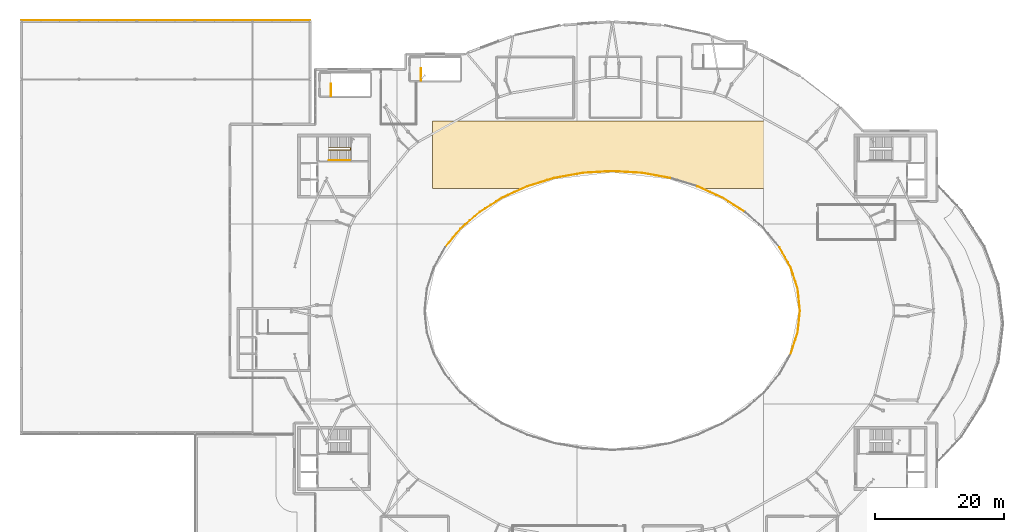
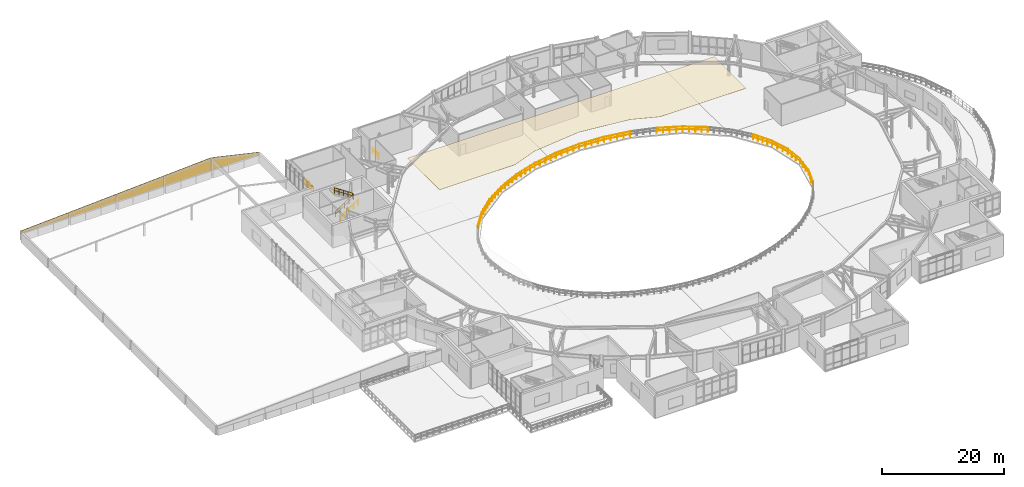
# One storey, part 46 of 48: 20 railings, 6 coverings.
"""IFC4 building model written with IfcOpenShell, lengths in metres."""

import ifcopenshell
import ifcopenshell.guid

model = None  # the IFC model being written
_history = None  # IfcOwnerHistory: only IFC2X3 demands one
_inside = {}  # id of a spatial element -> (the spatial element, [elements in it])
_under = {}  # id of a project, library or spatial element -> (it, [spatial elements below it])
_declared = {}  # id of a project -> (the project, [libraries it declares])
_typed = {}  # id of a type object -> (the type object, [elements of that type])
_made_of = {}  # id of a material, layer set ... -> (it, [elements and type objects made of it])


def new_model(schema):
    """Start an empty IFC model of exactly this schema.

    Asked for "IFC4X3", IfcOpenShell would pick the latest addendum, in which some entities
    have other attributes; the version numbers below select the first issue.
    IFC2X3 requires an IfcOwnerHistory on every rooted entity: one is made here for all.
    """
    global model, _history
    if schema == "IFC4X3":
        model = ifcopenshell.file(schema_version=(4, 3, 0, 0))
    else:
        model = ifcopenshell.file(schema=schema)
    _inside.clear()
    _under.clear()
    _declared.clear()
    _typed.clear()
    _made_of.clear()
    _history = None
    if model.schema == "IFC2X3":
        org = make("IfcOrganization", Name="unknown")
        user = make(
            "IfcPersonAndOrganization",
            ThePerson=make("IfcPerson", FamilyName="unknown"),
            TheOrganization=org,
        )
        app = make(
            "IfcApplication",
            ApplicationDeveloper=org,
            Version="unknown",
            ApplicationFullName="unknown",
            ApplicationIdentifier="unknown",
        )
        _history = make(
            "IfcOwnerHistory",
            OwningUser=user,
            OwningApplication=app,
            ChangeAction="ADDED",
            CreationDate=0,
        )
    return model


def make(cls, **values):
    """One entity of the class cls with the attributes given. An attribute that is None is left unset."""
    return model.create_entity(
        cls, **{name: value for name, value in values.items() if value is not None}
    )


def rooted(cls, **values):
    """An entity with a GlobalId (a new one), such as an element, a storey or a relation."""
    return make(cls, GlobalId=ifcopenshell.guid.new(), OwnerHistory=_history, **values)


def si_unit(unit_type, name, prefix=None):
    """IfcSIUnit, for example si_unit("LENGTHUNIT", "METRE", prefix="MILLI")."""
    return make("IfcSIUnit", UnitType=unit_type, Prefix=prefix, Name=name)


def assignment(units):
    """IfcUnitAssignment: the units of a project."""
    return None if units is None else make("IfcUnitAssignment", Units=units)


def point(xyz):
    """IfcCartesianPoint."""
    return None if xyz is None else make("IfcCartesianPoint", Coordinates=xyz)


def direction(xyz):
    """IfcDirection."""
    return None if xyz is None else make("IfcDirection", DirectionRatios=xyz)


def frame(location, z_axis=None, x_axis=None):
    """IfcAxis2Placement3D, a coordinate frame: its origin and axes. An axis left out is left unset."""
    return make(
        "IfcAxis2Placement3D",
        Location=point(location),
        Axis=direction(z_axis),
        RefDirection=direction(x_axis),
    )


def frame_2d(location, x_axis=None):
    """IfcAxis2Placement2D, a coordinate frame in the plane: its origin and x axis."""
    return make(
        "IfcAxis2Placement2D", Location=point(location), RefDirection=direction(x_axis)
    )


def origin():
    """The frame at (0, 0, 0) with its axes left unset."""
    return frame((0.0, 0.0, 0.0))


def origin_2d():
    """The frame at (0, 0) in the plane with its x axis left unset."""
    return frame_2d((0.0, 0.0))


def place(relative_to, where):
    """IfcLocalPlacement: puts the frame where relative to a parent placement (None: the world)."""
    return make(
        "IfcLocalPlacement", PlacementRelTo=relative_to, RelativePlacement=where
    )


def context(
    kind, dimensions, precision=None, world=None, true_north=None, identifier=None
):
    """IfcGeometricRepresentationContext, for example the 3D "Model" context."""
    return make(
        "IfcGeometricRepresentationContext",
        ContextIdentifier=identifier,
        ContextType=kind,
        CoordinateSpaceDimension=dimensions,
        Precision=precision,
        WorldCoordinateSystem=world,
        TrueNorth=true_north,
    )


def subcontext(parent, identifier, kind, view, scale=None):
    """IfcGeometricRepresentationSubContext, for example "Body" below "Model"."""
    return make(
        "IfcGeometricRepresentationSubContext",
        ContextIdentifier=identifier,
        ContextType=kind,
        ParentContext=parent,
        TargetScale=scale,
        TargetView=view,
    )


def project(units=None, contexts=None):
    """IfcProject with its units and contexts."""
    return rooted(
        "IfcProject",
        Name="project",
        RepresentationContexts=contexts,
        UnitsInContext=assignment(units),
    )


def spatial(cls, under=None, at=None, **own):
    """A site, building, storey or space (cls), placed at a placement, below another one or the project."""
    s = rooted(cls, ObjectPlacement=at, **own)
    if under is not None:
        _under.setdefault(under.id(), (under, []))[1].append(s)
    return s


def polyline(points):
    """IfcPolyline through the points."""
    return make("IfcPolyline", Points=[point(p) for p in points])


def profile(cls, at=None, kind="AREA", **sizes):
    """A parametric profile (cls). Its sizes go by their IFC names, for example OverallWidth=200.0."""
    return make(cls, ProfileType=kind, Position=at, **sizes)


def circle(**sizes):
    """IfcCircleProfileDef."""
    return profile("IfcCircleProfileDef", **sizes)


def outline(outer, holes=None, kind="AREA"):
    """IfcArbitraryClosedProfileDef: a profile drawn as a closed curve; with holes, ...WithVoids."""
    if holes is None:
        return make("IfcArbitraryClosedProfileDef", ProfileType=kind, OuterCurve=outer)
    return make(
        "IfcArbitraryProfileDefWithVoids",
        ProfileType=kind,
        OuterCurve=outer,
        InnerCurves=holes,
    )


def extrude(swept, where, along, depth):
    """IfcExtrudedAreaSolid: the profile swept, set in the frame where, extruded along a direction by depth."""
    return make(
        "IfcExtrudedAreaSolid",
        SweptArea=swept,
        Position=where,
        ExtrudedDirection=direction(along),
        Depth=depth,
    )


def shape(context_of_items, identifier, shape_type, items):
    """IfcShapeRepresentation: the items that make up one representation, for example the "Body"."""
    return make(
        "IfcShapeRepresentation",
        ContextOfItems=context_of_items,
        RepresentationIdentifier=identifier,
        RepresentationType=shape_type,
        Items=items,
    )


def material(Name=None, Category=None):
    """IfcMaterial."""
    return make("IfcMaterial", Name=Name, Category=Category)


def layer(
    of_material, thickness, ventilated=None, Name=None, Category=None, Priority=None
):
    """IfcMaterialLayer: one layer of a wall or slab, of a material (None: an air gap)."""
    return make(
        "IfcMaterialLayer",
        Material=of_material,
        LayerThickness=thickness,
        IsVentilated=ventilated,
        Name=Name,
        Category=Category,
        Priority=Priority,
    )


def layer_set(layers, Name=None):
    """IfcMaterialLayerSet."""
    return make("IfcMaterialLayerSet", MaterialLayers=layers, LayerSetName=Name)


def made_of(thing, what):
    """Note that an element or type object is made of a material, layer set ...; save() writes the relation."""
    if what is not None:
        _made_of.setdefault(what.id(), (what, []))[1].append(thing)
    return thing


def type_object(cls, material=None, **own):
    """A type object (cls), such as IfcWallType, which elements share."""
    return made_of(rooted(cls, **own), material)


def element(
    cls,
    number,
    at=None,
    inside=None,
    cuts=None,
    type_object=None,
    material=None,
    context=None,
    identifier="Body",
    shape_type=None,
    held_by="IfcProductDefinitionShape",
    body=None,
    shapes=None,
    **own,
):
    """One element of the class cls, such as IfcWall. Its Tag is "e" and its number.

    at: its placement. inside: the storey or other place that contains it. cuts: it is an
    opening in that element (IfcRelVoidsElement). A single representation is given by context,
    identifier, shape_type and body (its items); several are given by shapes. held_by: the class
    of the entity that holds the representations. save() writes the other relations.
    """
    e = rooted(cls, Tag="e%d" % number, ObjectPlacement=at, **own)
    if body is not None:
        shapes = [shape(context, identifier, shape_type, body)]
    if shapes is not None:
        e.Representation = make(held_by, Representations=shapes)
    if inside is not None:
        _inside.setdefault(inside.id(), (inside, []))[1].append(e)
    if cuts is not None:
        rooted(
            "IfcRelVoidsElement", RelatingBuildingElement=cuts, RelatedOpeningElement=e
        )
    if type_object is not None:
        _typed.setdefault(type_object.id(), (type_object, []))[1].append(e)
    return made_of(e, material)


def aggregate(whole, parts):
    """IfcRelAggregates: a whole, such as a stair, and the parts it consists of."""
    return rooted("IfcRelAggregates", RelatingObject=whole, RelatedObjects=parts)


def save(model, path):
    """Write the relations noted so far, then the file.

    IfcRelAggregates (storeys below a building ...), IfcRelContainedInSpatialStructure (elements
    in a storey), IfcRelDefinesByType, IfcRelAssociatesMaterial and IfcRelDeclares: one each for
    every whole, place, type object, material and project.
    """
    for whole, parts in _under.values():
        aggregate(whole, parts)
    for where, things in _inside.values():
        rooted(
            "IfcRelContainedInSpatialStructure",
            RelatedElements=things,
            RelatingStructure=where,
        )
    for kind, things in _typed.values():
        rooted("IfcRelDefinesByType", RelatedObjects=things, RelatingType=kind)
    for what, things in _made_of.values():
        rooted("IfcRelAssociatesMaterial", RelatedObjects=things, RelatingMaterial=what)
    for by, libraries in _declared.values():
        rooted("IfcRelDeclares", RelatingContext=by, RelatedDefinitions=libraries)
    model.write(path)


model = new_model("IFC4")

# Units and contexts
model_context = context("Model", 3, precision=1e-05, world=origin(), true_north=direction((0.0, 1.0)))
body_context = subcontext(model_context, "Body", "Model", "MODEL_VIEW")
ifc_project = project(units=[si_unit("LENGTHUNIT", "METRE"), si_unit("AREAUNIT", "SQUARE_METRE"), si_unit("VOLUMEUNIT", "CUBIC_METRE"), si_unit("PLANEANGLEUNIT", "RADIAN"), si_unit("MASSUNIT", "GRAM", prefix="KILO")], contexts=[model_context])

# Site, building, storey
site_placement = place(None, origin())
site = spatial("IfcSite", under=ifc_project, at=site_placement, CompositionType="ELEMENT")
building_placement = place(site_placement, origin())
building = spatial("IfcBuilding", under=site, at=building_placement, Name="Glasvene Arena", CompositionType="ELEMENT")
storey_placement = place(building_placement, frame((0.0, 0.0, 19.5)))
storey = spatial("IfcBuildingStorey", under=building, at=storey_placement, Name="L04", CompositionType="ELEMENT", Elevation=19.5)

# Coverings
ifc_material_1 = material(Name="Perforated acoustic mineral ceiling tile")
ifc_layer_1 = layer(ifc_material_1, 0.0400390625)
ifc_layer_set_1 = layer_set([ifc_layer_1], Name="Perforated acoustic mineral ceiling tile")
covering_type_1 = type_object("IfcCoveringType", Name="COV-CEIL-AC", PredefinedType="CEILING", material=ifc_layer_set_1)
covering_1_placement = place(storey_placement, frame((92.4443359375, 95.04833984375, 3.31005859375)))
element("IfcCovering", 1, at=covering_1_placement, inside=storey, type_object=covering_type_1, Name="Acoustic suspended ceiling Founders Club Terrace Lounge", PredefinedType="CEILING", context=body_context, shape_type="SweptSolid", body=[
    extrude(outline(polyline([(8.59765625, -1.270263671875), (-0.4443359375, -0.208251953125), (-9.486328125, -1.270263671875), (-14.1474609375, -3.0283203125), (-28.42431640625, -3.0283203125), (-28.42431640625, 7.431640625), (29.53564453125, 7.431640625), (29.53564453125, -3.0283203125), (13.2587890625, -3.0283203125), (8.59765625, -1.270263671875)])), origin(), (0.0, 0.0, 1.0), 0.0400390625),
])
ifc_material_2 = material(Name="Coursed pale Irish limestone", Category="masonry")
ifc_layer_2 = layer(ifc_material_2, 0.050048828125)
ifc_layer_set_2 = layer_set([ifc_layer_2], Name="Coursed pale Irish limestone")
covering_type_2 = type_object("IfcCoveringType", Name="COV-CLAD-LIM", PredefinedType="CLADDING", material=ifc_layer_set_2)
covering_2_placement = place(storey_placement, frame((0.0, 118.22802734375, 1.159912109375), z_axis=(0.0, 1.0, 0.0), x_axis=(0.0, 0.0, 1.0)))
element("IfcCovering", 2, at=covering_2_placement, inside=storey, type_object=covering_type_2, Name="Wing gable architectural fascia cladding V4-018", PredefinedType="CLADDING", context=body_context, shape_type="SweptSolid", body=[
    extrude(outline(polyline([(0.0, 0.0), (0.528076171875, 0.0), (1.04052734375, 9.0), (0.0, 9.0), (0.0, 0.0)])), origin(), (0.0, 0.0, -1.0), 0.050048828125),
])
covering_3_placement = place(storey_placement, frame((9.0, 118.22802734375, 1.159912109375), z_axis=(0.0, 1.0, 0.0), x_axis=(0.0, 0.0, 1.0)))
element("IfcCovering", 3, at=covering_3_placement, inside=storey, type_object=covering_type_2, Name="Wing gable architectural fascia cladding V4-019", PredefinedType="CLADDING", context=body_context, shape_type="SweptSolid", body=[
    extrude(outline(polyline([(0.0, 0.0), (1.04052734375, 0.0), (1.552978515625, 9.0), (0.0, 9.0), (0.0, 0.0)])), origin(), (0.0, 0.0, -1.0), 0.050048828125),
])
covering_4_placement = place(storey_placement, frame((18.0, 118.22802734375, 1.159912109375), z_axis=(0.0, 1.0, 0.0), x_axis=(0.0, 0.0, 1.0)))
element("IfcCovering", 4, at=covering_4_placement, inside=storey, type_object=covering_type_2, Name="Wing gable architectural fascia cladding V4-020", PredefinedType="CLADDING", context=body_context, shape_type="SweptSolid", body=[
    extrude(outline(polyline([(0.0, 0.0), (1.552978515625, 0.0), (2.065673828125, 9.0), (0.0, 9.0), (0.0, 0.0)])), origin(), (0.0, 0.0, -1.0), 0.050048828125),
])
covering_5_placement = place(storey_placement, frame((27.0, 118.22802734375, 1.159912109375), z_axis=(0.0, 1.0, 0.0), x_axis=(0.0, 0.0, 1.0)))
element("IfcCovering", 5, at=covering_5_placement, inside=storey, type_object=covering_type_2, Name="Wing gable architectural fascia cladding V4-021", PredefinedType="CLADDING", context=body_context, shape_type="SweptSolid", body=[
    extrude(outline(polyline([(0.0, 0.0), (2.065673828125, 0.0), (2.578125, 9.0), (0.0, 9.0), (0.0, 0.0)])), origin(), (0.0, 0.0, -1.0), 0.050048828125),
])
covering_6_placement = place(storey_placement, frame((36.0, 118.22802734375, 1.159912109375), z_axis=(0.0, 1.0, 0.0), x_axis=(0.0, 0.0, 1.0)))
element("IfcCovering", 6, at=covering_6_placement, inside=storey, type_object=covering_type_2, Name="Wing gable architectural fascia cladding V4-022", PredefinedType="CLADDING", context=body_context, shape_type="SweptSolid", body=[
    extrude(outline(polyline([(0.0, 0.0), (2.578125, 0.0), (0.528076171875, 9.0), (0.0, 9.0), (0.0, 0.0)])), origin(), (0.0, 0.0, -1.0), 0.050048828125),
])

# Railings
ifc_material_3 = material(Name="Brushed stainless steel", Category="steel")
railing_type_1 = type_object("IfcRailingType", Name="RL-GUARD-1100", PredefinedType="GUARDRAIL", material=ifc_material_3)
railing_1_placement = place(storey_placement, frame((47.85009765625, 98.010009765625, 0.0)))
element("IfcRailing", 7, at=railing_1_placement, inside=storey, type_object=railing_type_1, Name="Stair inner well continuous guardrail ST-01-L04", PredefinedType="GUARDRAIL", context=body_context, shape_type="SweptSolid", body=[
    extrude(circle(Radius=0.02392578125, at=origin_2d()), frame((0.0, 0.0, 1.076171875), z_axis=(0.833924910587, 0.0, 0.551877924456), x_axis=(0.0, 1.0, 0.0)), (0.0, 0.0, 1.0), 4.076904296875),
    extrude(circle(Radius=0.01611328125, at=origin_2d()), frame((0.0, 0.0, 0.550048828125), z_axis=(0.833924910587, 0.0, 0.551877924456), x_axis=(0.0, 1.0, 0.0)), (0.0, 0.0, 1.0), 4.076904296875),
    extrude(circle(Radius=0.02392578125, at=origin_2d()), frame((3.39990234375, 0.0, 3.326171875), z_axis=(0.0, 1.0, 0.0), x_axis=(-1.0, 0.0, 0.0)), (0.0, 0.0, 1.0), 0.330078125),
    extrude(circle(Radius=0.01611328125, at=origin_2d()), frame((3.39990234375, 0.0, 2.800048828125), z_axis=(0.0, 1.0, 0.0), x_axis=(-1.0, 0.0, 0.0)), (0.0, 0.0, 1.0), 0.330078125),
    extrude(circle(Radius=0.02392578125, at=origin_2d()), frame((3.39990234375, 0.330078125, 3.326171875), z_axis=(-0.833924910587, 0.0, 0.551877924456), x_axis=(0.0, -1.0, 0.0)), (0.0, 0.0, 1.0), 4.076904296875),
    extrude(circle(Radius=0.01611328125, at=origin_2d()), frame((3.39990234375, 0.330078125, 2.800048828125), z_axis=(-0.833924910587, 0.0, 0.551877924456), x_axis=(0.0, -1.0, 0.0)), (0.0, 0.0, 1.0), 4.076904296875),
    extrude(circle(Radius=0.02099609375, at=origin_2d()), origin(), (0.0, 0.0, 1.0), 1.052001953125),
    extrude(circle(Radius=0.02099609375, at=origin_2d()), frame((0.85009765625, 0.0, 0.5625)), (0.0, 0.0, 1.0), 1.052001953125),
    extrude(circle(Radius=0.02099609375, at=origin_2d()), frame((1.699951171875, 0.0, 1.125)), (0.0, 0.0, 1.0), 1.052001953125),
    extrude(circle(Radius=0.02099609375, at=origin_2d()), frame((2.5498046875, 0.0, 1.6875)), (0.0, 0.0, 1.0), 1.052001953125),
    extrude(circle(Radius=0.02099609375, at=origin_2d()), frame((3.39990234375, 0.0, 2.25)), (0.0, 0.0, 1.0), 1.052001953125),
    extrude(circle(Radius=0.02099609375, at=origin_2d()), frame((3.39990234375, 0.330078125, 2.25)), (0.0, 0.0, 1.0), 1.052001953125),
    extrude(circle(Radius=0.02099609375, at=origin_2d()), frame((2.5498046875, 0.330078125, 2.8125)), (0.0, 0.0, 1.0), 1.052001953125),
    extrude(circle(Radius=0.02099609375, at=origin_2d()), frame((1.699951171875, 0.330078125, 3.375)), (0.0, 0.0, 1.0), 1.052001953125),
    extrude(circle(Radius=0.02099609375, at=origin_2d()), frame((0.85009765625, 0.330078125, 3.9375)), (0.0, 0.0, 1.0), 1.052001953125),
    extrude(circle(Radius=0.02099609375, at=origin_2d()), frame((0.0, 0.330078125, 4.5)), (0.0, 0.0, 1.0), 1.052001953125),
])
railing_2_placement = place(storey_placement, frame((62.199951171875, 108.800048828125, 0.0)))
element("IfcRailing", 8, at=railing_2_placement, inside=storey, type_object=railing_type_1, Name="Stair top landing well guard ST-10", PredefinedType="GUARDRAIL", context=body_context, shape_type="SweptSolid", body=[
    extrude(circle(Radius=0.02392578125, at=origin_2d()), frame((0.0, 0.0, 1.076171875), z_axis=(0.0, 1.0, 0.0), x_axis=(-1.0, 0.0, 0.0)), (0.0, 0.0, 1.0), 1.89990234375),
    extrude(circle(Radius=0.01611328125, at=origin_2d()), frame((0.0, 0.0, 0.550048828125), z_axis=(0.0, 1.0, 0.0), x_axis=(-1.0, 0.0, 0.0)), (0.0, 0.0, 1.0), 1.89990234375),
    extrude(circle(Radius=0.02099609375, at=origin_2d()), origin(), (0.0, 0.0, 1.0), 1.052001953125),
    extrude(circle(Radius=0.02099609375, at=origin_2d()), frame((0.0, 0.949951171875, 0.0)), (0.0, 0.0, 1.0), 1.052001953125),
    extrude(circle(Radius=0.02099609375, at=origin_2d()), frame((0.0, 1.89990234375, 0.0)), (0.0, 0.0, 1.0), 1.052001953125),
])
railing_3_placement = place(storey_placement, frame((48.199951171875, 106.39990234375, 0.0)))
element("IfcRailing", 9, at=railing_3_placement, inside=storey, type_object=railing_type_1, Name="Stair top landing well guard ST-12", PredefinedType="GUARDRAIL", context=body_context, shape_type="SweptSolid", body=[
    extrude(circle(Radius=0.02392578125, at=origin_2d()), frame((0.0, 0.0, 1.076171875), z_axis=(0.0, 1.0, 0.0), x_axis=(-1.0, 0.0, 0.0)), (0.0, 0.0, 1.0), 1.900146484375),
    extrude(circle(Radius=0.01611328125, at=origin_2d()), frame((0.0, 0.0, 0.550048828125), z_axis=(0.0, 1.0, 0.0), x_axis=(-1.0, 0.0, 0.0)), (0.0, 0.0, 1.0), 1.900146484375),
    extrude(circle(Radius=0.02099609375, at=origin_2d()), origin(), (0.0, 0.0, 1.0), 1.052001953125),
    extrude(circle(Radius=0.02099609375, at=origin_2d()), frame((0.0, 0.9501953125, 0.0)), (0.0, 0.0, 1.0), 1.052001953125),
    extrude(circle(Radius=0.02099609375, at=origin_2d()), frame((0.0, 1.900146484375, 0.0)), (0.0, 0.0, 1.0), 1.052001953125),
])
railing_4_placement = place(storey_placement, frame((121.199951171875, 73.0, 0.0)))
element("IfcRailing", 10, at=railing_4_placement, inside=storey, type_object=railing_type_1, Name="Safety guardrail GD-BWL-L04-001", PredefinedType="GUARDRAIL", context=body_context, shape_type="SweptSolid", body=[
    extrude(circle(Radius=0.02392578125, at=origin_2d()), frame((0.0, 0.0, 1.076171875), z_axis=(-0.10528045623, 0.994442570255, 0.0), x_axis=(-0.994442570255, -0.10528045623, 0.0)), (0.0, 0.0, 1.0), 3.41357421875),
    extrude(circle(Radius=0.01611328125, at=origin_2d()), frame((0.0, 0.0, 0.550048828125), z_axis=(-0.10528045623, 0.994442570255, 0.0), x_axis=(-0.994442570255, -0.10528045623, 0.0)), (0.0, 0.0, 1.0), 3.41357421875),
    extrude(circle(Radius=0.02099609375, at=origin_2d()), origin(), (0.0, 0.0, 1.0), 1.052001953125),
    extrude(circle(Radius=0.02099609375, at=origin_2d()), frame((-0.119873046875, 1.131591796875, 0.0)), (0.0, 0.0, 1.0), 1.052001953125),
    extrude(circle(Radius=0.02099609375, at=origin_2d()), frame((-0.239501953125, 2.262939453125, 0.0)), (0.0, 0.0, 1.0), 1.052001953125),
    extrude(circle(Radius=0.02099609375, at=origin_2d()), frame((-0.359375, 3.39453125, 0.0)), (0.0, 0.0, 1.0), 1.052001953125),
])
railing_5_placement = place(storey_placement, frame((120.840576171875, 76.39453125, 0.0)))
element("IfcRailing", 11, at=railing_5_placement, inside=storey, type_object=railing_type_1, Name="Safety guardrail GD-BWL-L04-002", PredefinedType="GUARDRAIL", context=body_context, shape_type="SweptSolid", body=[
    extrude(circle(Radius=0.02392578125, at=origin_2d()), frame((0.0, 0.0, 1.076171875), z_axis=(-0.30737379466, 0.951588855734, 0.0), x_axis=(-0.951588855734, -0.30737379466, 0.0)), (0.0, 0.0, 1.0), 3.479736328125),
    extrude(circle(Radius=0.01611328125, at=origin_2d()), frame((0.0, 0.0, 0.550048828125), z_axis=(-0.30737379466, 0.951588855734, 0.0), x_axis=(-0.951588855734, -0.30737379466, 0.0)), (0.0, 0.0, 1.0), 3.479736328125),
    extrude(circle(Radius=0.02099609375, at=origin_2d()), origin(), (0.0, 0.0, 1.0), 1.052001953125),
    extrude(circle(Radius=0.02099609375, at=origin_2d()), frame((-0.3564453125, 1.103759765625, 0.0)), (0.0, 0.0, 1.0), 1.052001953125),
    extrude(circle(Radius=0.02099609375, at=origin_2d()), frame((-0.713134765625, 2.20751953125, 0.0)), (0.0, 0.0, 1.0), 1.052001953125),
    extrude(circle(Radius=0.02099609375, at=origin_2d()), frame((-1.069580078125, 3.311279296875, 0.0)), (0.0, 0.0, 1.0), 1.052001953125),
])
railing_6_placement = place(storey_placement, frame((119.77099609375, 79.705810546875, 0.0)))
element("IfcRailing", 12, at=railing_6_placement, inside=storey, type_object=railing_type_1, Name="Safety guardrail GD-BWL-L04-003", PredefinedType="GUARDRAIL", context=body_context, shape_type="SweptSolid", body=[
    extrude(circle(Radius=0.02392578125, at=origin_2d()), frame((0.0, 0.0, 1.076171875), z_axis=(-0.486920149471, 0.873446488366, 0.0), x_axis=(-0.873446488366, -0.486920149471, 0.0)), (0.0, 0.0, 1.0), 3.6015625),
    extrude(circle(Radius=0.01611328125, at=origin_2d()), frame((0.0, 0.0, 0.550048828125), z_axis=(-0.486920149471, 0.873446488366, 0.0), x_axis=(-0.873446488366, -0.486920149471, 0.0)), (0.0, 0.0, 1.0), 3.6015625),
    extrude(circle(Radius=0.02099609375, at=origin_2d()), origin(), (0.0, 0.0, 1.0), 1.052001953125),
    extrude(circle(Radius=0.02099609375, at=origin_2d()), frame((-0.4384765625, 0.786376953125, 0.0)), (0.0, 0.0, 1.0), 1.052001953125),
    extrude(circle(Radius=0.02099609375, at=origin_2d()), frame((-0.876953125, 1.57275390625, 0.0)), (0.0, 0.0, 1.0), 1.052001953125),
    extrude(circle(Radius=0.02099609375, at=origin_2d()), frame((-1.315185546875, 2.359375, 0.0)), (0.0, 0.0, 1.0), 1.052001953125),
    extrude(circle(Radius=0.02099609375, at=origin_2d()), frame((-1.753662109375, 3.145751953125, 0.0)), (0.0, 0.0, 1.0), 1.052001953125),
])
railing_7_placement = place(storey_placement, frame((112.6474609375, 88.34423828125, 0.0)))
element("IfcRailing", 13, at=railing_7_placement, inside=storey, type_object=railing_type_1, Name="Safety guardrail GD-BWL-L04-006", PredefinedType="GUARDRAIL", context=body_context, shape_type="SweptSolid", body=[
    extrude(circle(Radius=0.02392578125, at=origin_2d()), frame((0.0, 0.0, 1.076171875), z_axis=(-0.844291843699, 0.535883646572, 0.0), x_axis=(-0.535883646572, -0.844291843699, 0.0)), (0.0, 0.0, 1.0), 4.126708984375),
    extrude(circle(Radius=0.01611328125, at=origin_2d()), frame((0.0, 0.0, 0.550048828125), z_axis=(-0.844291843699, 0.535883646572, 0.0), x_axis=(-0.535883646572, -0.844291843699, 0.0)), (0.0, 0.0, 1.0), 4.126708984375),
    extrude(circle(Radius=0.02099609375, at=origin_2d()), origin(), (0.0, 0.0, 1.0), 1.052001953125),
    extrude(circle(Radius=0.02099609375, at=origin_2d()), frame((-0.87109375, 0.552734375, 0.0)), (0.0, 0.0, 1.0), 1.052001953125),
    extrude(circle(Radius=0.02099609375, at=origin_2d()), frame((-1.7421875, 1.105712890625, 0.0)), (0.0, 0.0, 1.0), 1.052001953125),
    extrude(circle(Radius=0.02099609375, at=origin_2d()), frame((-2.613037109375, 1.65869140625, 0.0)), (0.0, 0.0, 1.0), 1.052001953125),
    extrude(circle(Radius=0.02099609375, at=origin_2d()), frame((-3.484130859375, 2.21142578125, 0.0)), (0.0, 0.0, 1.0), 1.052001953125),
])
railing_8_placement = place(storey_placement, frame((109.163330078125, 90.5556640625, 0.0)))
element("IfcRailing", 14, at=railing_8_placement, inside=storey, type_object=railing_type_1, Name="Safety guardrail GD-BWL-L04-007", PredefinedType="GUARDRAIL", context=body_context, shape_type="SweptSolid", body=[
    extrude(circle(Radius=0.02392578125, at=origin_2d()), frame((0.0, 0.0, 1.076171875), z_axis=(-0.910079947412, 0.414432731958, 0.0), x_axis=(-0.414432731958, -0.910079947412, 0.0)), (0.0, 0.0, 1.0), 4.292724609375),
    extrude(circle(Radius=0.01611328125, at=origin_2d()), frame((0.0, 0.0, 0.550048828125), z_axis=(-0.910079947412, 0.414432731958, 0.0), x_axis=(-0.414432731958, -0.910079947412, 0.0)), (0.0, 0.0, 1.0), 4.292724609375),
    extrude(circle(Radius=0.02099609375, at=origin_2d()), origin(), (0.0, 0.0, 1.0), 1.052001953125),
    extrude(circle(Radius=0.02099609375, at=origin_2d()), frame((-0.9765625, 0.44482421875, 0.0)), (0.0, 0.0, 1.0), 1.052001953125),
    extrude(circle(Radius=0.02099609375, at=origin_2d()), frame((-1.953369140625, 0.8896484375, 0.0)), (0.0, 0.0, 1.0), 1.052001953125),
    extrude(circle(Radius=0.02099609375, at=origin_2d()), frame((-2.93017578125, 1.334228515625, 0.0)), (0.0, 0.0, 1.0), 1.052001953125),
    extrude(circle(Radius=0.02099609375, at=origin_2d()), frame((-3.90673828125, 1.779052734375, 0.0)), (0.0, 0.0, 1.0), 1.052001953125),
])
railing_9_placement = place(storey_placement, frame((101.023193359375, 93.637939453125, 0.0)))
element("IfcRailing", 15, at=railing_9_placement, inside=storey, type_object=railing_type_1, Name="Safety guardrail GD-BWL-L04-009", PredefinedType="GUARDRAIL", context=body_context, shape_type="SweptSolid", body=[
    extrude(circle(Radius=0.02392578125, at=origin_2d()), frame((0.0, 0.0, 1.076171875), z_axis=(-0.984453237515, 0.175646870587, 0.0), x_axis=(-0.175646870587, -0.984453237515, 0.0)), (0.0, 0.0, 1.0), 4.525634765625),
    extrude(circle(Radius=0.01611328125, at=origin_2d()), frame((0.0, 0.0, 0.550048828125), z_axis=(-0.984453237515, 0.175646870587, 0.0), x_axis=(-0.175646870587, -0.984453237515, 0.0)), (0.0, 0.0, 1.0), 4.525634765625),
    extrude(circle(Radius=0.02099609375, at=origin_2d()), origin(), (0.0, 0.0, 1.0), 1.052001953125),
    extrude(circle(Radius=0.02099609375, at=origin_2d()), frame((-1.11376953125, 0.19873046875, 0.0)), (0.0, 0.0, 1.0), 1.052001953125),
    extrude(circle(Radius=0.02099609375, at=origin_2d()), frame((-2.2275390625, 0.3974609375, 0.0)), (0.0, 0.0, 1.0), 1.052001953125),
    extrude(circle(Radius=0.02099609375, at=origin_2d()), frame((-3.341552734375, 0.59619140625, 0.0)), (0.0, 0.0, 1.0), 1.052001953125),
    extrude(circle(Radius=0.02099609375, at=origin_2d()), frame((-4.455322265625, 0.794921875, 0.0)), (0.0, 0.0, 1.0), 1.052001953125),
])
railing_10_placement = place(storey_placement, frame((96.56787109375, 94.432861328125, 0.0)))
element("IfcRailing", 16, at=railing_10_placement, inside=storey, type_object=railing_type_1, Name="Safety guardrail GD-BWL-L04-010", PredefinedType="GUARDRAIL", context=body_context, shape_type="SweptSolid", body=[
    extrude(circle(Radius=0.02392578125, at=origin_2d()), frame((0.0, 0.0, 1.076171875), z_axis=(-0.998294918251, 0.058371707139, 0.0), x_axis=(-0.058371707139, -0.998294918251, 0.0)), (0.0, 0.0, 1.0), 4.57568359375),
    extrude(circle(Radius=0.01611328125, at=origin_2d()), frame((0.0, 0.0, 0.550048828125), z_axis=(-0.998294918251, 0.058371707139, 0.0), x_axis=(-0.058371707139, -0.998294918251, 0.0)), (0.0, 0.0, 1.0), 4.57568359375),
    extrude(circle(Radius=0.02099609375, at=origin_2d()), origin(), (0.0, 0.0, 1.0), 1.052001953125),
    extrude(circle(Radius=0.02099609375, at=origin_2d()), frame((-1.14208984375, 0.06689453125, 0.0)), (0.0, 0.0, 1.0), 1.052001953125),
    extrude(circle(Radius=0.02099609375, at=origin_2d()), frame((-2.283935546875, 0.133544921875, 0.0)), (0.0, 0.0, 1.0), 1.052001953125),
    extrude(circle(Radius=0.02099609375, at=origin_2d()), frame((-3.42578125, 0.2001953125, 0.0)), (0.0, 0.0, 1.0), 1.052001953125),
    extrude(circle(Radius=0.02099609375, at=origin_2d()), frame((-4.56787109375, 0.26708984375, 0.0)), (0.0, 0.0, 1.0), 1.052001953125),
])
railing_11_placement = place(storey_placement, frame((92.0, 94.699951171875, 0.0)))
element("IfcRailing", 17, at=railing_11_placement, inside=storey, type_object=railing_type_1, Name="Safety guardrail GD-BWL-L04-011", PredefinedType="GUARDRAIL", context=body_context, shape_type="SweptSolid", body=[
    extrude(circle(Radius=0.02392578125, at=origin_2d()), frame((0.0, 0.0, 1.076171875), z_axis=(-0.998294918251, -0.058371707139, 0.0), x_axis=(0.058371707139, -0.998294918251, 0.0)), (0.0, 0.0, 1.0), 4.57568359375),
    extrude(circle(Radius=0.01611328125, at=origin_2d()), frame((0.0, 0.0, 0.550048828125), z_axis=(-0.998294918251, -0.058371707139, 0.0), x_axis=(0.058371707139, -0.998294918251, 0.0)), (0.0, 0.0, 1.0), 4.57568359375),
    extrude(circle(Radius=0.02099609375, at=origin_2d()), origin(), (0.0, 0.0, 1.0), 1.052001953125),
    extrude(circle(Radius=0.02099609375, at=origin_2d()), frame((-1.14208984375, -0.06689453125, 0.0)), (0.0, 0.0, 1.0), 1.052001953125),
    extrude(circle(Radius=0.02099609375, at=origin_2d()), frame((-2.283935546875, -0.133544921875, 0.0)), (0.0, 0.0, 1.0), 1.052001953125),
    extrude(circle(Radius=0.02099609375, at=origin_2d()), frame((-3.42578125, -0.2001953125, 0.0)), (0.0, 0.0, 1.0), 1.052001953125),
    extrude(circle(Radius=0.02099609375, at=origin_2d()), frame((-4.56787109375, -0.26708984375, 0.0)), (0.0, 0.0, 1.0), 1.052001953125),
])
railing_12_placement = place(storey_placement, frame((87.43212890625, 94.432861328125, 0.0)))
element("IfcRailing", 18, at=railing_12_placement, inside=storey, type_object=railing_type_1, Name="Safety guardrail GD-BWL-L04-012", PredefinedType="GUARDRAIL", context=body_context, shape_type="SweptSolid", body=[
    extrude(circle(Radius=0.02392578125, at=origin_2d()), frame((0.0, 0.0, 1.076171875), z_axis=(-0.984453237515, -0.175646870587, 0.0), x_axis=(0.175646870587, -0.984453237515, 0.0)), (0.0, 0.0, 1.0), 4.525634765625),
    extrude(circle(Radius=0.01611328125, at=origin_2d()), frame((0.0, 0.0, 0.550048828125), z_axis=(-0.984453237515, -0.175646870587, 0.0), x_axis=(0.175646870587, -0.984453237515, 0.0)), (0.0, 0.0, 1.0), 4.525634765625),
    extrude(circle(Radius=0.02099609375, at=origin_2d()), origin(), (0.0, 0.0, 1.0), 1.052001953125),
    extrude(circle(Radius=0.02099609375, at=origin_2d()), frame((-1.11376953125, -0.19873046875, 0.0)), (0.0, 0.0, 1.0), 1.052001953125),
    extrude(circle(Radius=0.02099609375, at=origin_2d()), frame((-2.2275390625, -0.3974609375, 0.0)), (0.0, 0.0, 1.0), 1.052001953125),
    extrude(circle(Radius=0.02099609375, at=origin_2d()), frame((-3.341552734375, -0.59619140625, 0.0)), (0.0, 0.0, 1.0), 1.052001953125),
    extrude(circle(Radius=0.02099609375, at=origin_2d()), frame((-4.455322265625, -0.794921875, 0.0)), (0.0, 0.0, 1.0), 1.052001953125),
])
railing_13_placement = place(storey_placement, frame((82.976806640625, 93.637939453125, 0.0)))
element("IfcRailing", 19, at=railing_13_placement, inside=storey, type_object=railing_type_1, Name="Safety guardrail GD-BWL-L04-013", PredefinedType="GUARDRAIL", context=body_context, shape_type="SweptSolid", body=[
    extrude(circle(Radius=0.02392578125, at=origin_2d()), frame((0.0, 0.0, 1.076171875), z_axis=(-0.955738480796, -0.294217532323, 0.0), x_axis=(0.294217532323, -0.955738480796, 0.0)), (0.0, 0.0, 1.0), 4.429443359375),
    extrude(circle(Radius=0.01611328125, at=origin_2d()), frame((0.0, 0.0, 0.550048828125), z_axis=(-0.955738480796, -0.294217532323, 0.0), x_axis=(0.294217532323, -0.955738480796, 0.0)), (0.0, 0.0, 1.0), 4.429443359375),
    extrude(circle(Radius=0.02099609375, at=origin_2d()), origin(), (0.0, 0.0, 1.0), 1.052001953125),
    extrude(circle(Radius=0.02099609375, at=origin_2d()), frame((-1.058349609375, -0.32568359375, 0.0)), (0.0, 0.0, 1.0), 1.052001953125),
    extrude(circle(Radius=0.02099609375, at=origin_2d()), frame((-2.11669921875, -0.651611328125, 0.0)), (0.0, 0.0, 1.0), 1.052001953125),
    extrude(circle(Radius=0.02099609375, at=origin_2d()), frame((-3.175048828125, -0.9775390625, 0.0)), (0.0, 0.0, 1.0), 1.052001953125),
    extrude(circle(Radius=0.02099609375, at=origin_2d()), frame((-4.2333984375, -1.30322265625, 0.0)), (0.0, 0.0, 1.0), 1.052001953125),
])
railing_14_placement = place(storey_placement, frame((78.743408203125, 92.334716796875, 0.0)))
element("IfcRailing", 20, at=railing_14_placement, inside=storey, type_object=railing_type_1, Name="Safety guardrail GD-BWL-L04-014", PredefinedType="GUARDRAIL", context=body_context, shape_type="SweptSolid", body=[
    extrude(circle(Radius=0.02392578125, at=origin_2d()), frame((0.0, 0.0, 1.076171875), z_axis=(-0.910079947412, -0.414432731958, 0.0), x_axis=(0.414432731958, -0.910079947412, 0.0)), (0.0, 0.0, 1.0), 4.292724609375),
    extrude(circle(Radius=0.01611328125, at=origin_2d()), frame((0.0, 0.0, 0.550048828125), z_axis=(-0.910079947412, -0.414432731958, 0.0), x_axis=(0.414432731958, -0.910079947412, 0.0)), (0.0, 0.0, 1.0), 4.292724609375),
    extrude(circle(Radius=0.02099609375, at=origin_2d()), origin(), (0.0, 0.0, 1.0), 1.052001953125),
    extrude(circle(Radius=0.02099609375, at=origin_2d()), frame((-0.9765625, -0.44482421875, 0.0)), (0.0, 0.0, 1.0), 1.052001953125),
    extrude(circle(Radius=0.02099609375, at=origin_2d()), frame((-1.953369140625, -0.8896484375, 0.0)), (0.0, 0.0, 1.0), 1.052001953125),
    extrude(circle(Radius=0.02099609375, at=origin_2d()), frame((-2.93017578125, -1.334228515625, 0.0)), (0.0, 0.0, 1.0), 1.052001953125),
    extrude(circle(Radius=0.02099609375, at=origin_2d()), frame((-3.90673828125, -1.779052734375, 0.0)), (0.0, 0.0, 1.0), 1.052001953125),
])
railing_15_placement = place(storey_placement, frame((74.836669921875, 90.5556640625, 0.0)))
element("IfcRailing", 21, at=railing_15_placement, inside=storey, type_object=railing_type_1, Name="Safety guardrail GD-BWL-L04-015", PredefinedType="GUARDRAIL", context=body_context, shape_type="SweptSolid", body=[
    extrude(circle(Radius=0.02392578125, at=origin_2d()), frame((0.0, 0.0, 1.076171875), z_axis=(-0.844291843699, -0.535883646572, 0.0), x_axis=(0.535883646572, -0.844291843699, 0.0)), (0.0, 0.0, 1.0), 4.126708984375),
    extrude(circle(Radius=0.01611328125, at=origin_2d()), frame((0.0, 0.0, 0.550048828125), z_axis=(-0.844291843699, -0.535883646572, 0.0), x_axis=(0.535883646572, -0.844291843699, 0.0)), (0.0, 0.0, 1.0), 4.126708984375),
    extrude(circle(Radius=0.02099609375, at=origin_2d()), origin(), (0.0, 0.0, 1.0), 1.052001953125),
    extrude(circle(Radius=0.02099609375, at=origin_2d()), frame((-0.87109375, -0.552734375, 0.0)), (0.0, 0.0, 1.0), 1.052001953125),
    extrude(circle(Radius=0.02099609375, at=origin_2d()), frame((-1.7421875, -1.105712890625, 0.0)), (0.0, 0.0, 1.0), 1.052001953125),
    extrude(circle(Radius=0.02099609375, at=origin_2d()), frame((-2.613037109375, -1.65869140625, 0.0)), (0.0, 0.0, 1.0), 1.052001953125),
    extrude(circle(Radius=0.02099609375, at=origin_2d()), frame((-3.484130859375, -2.21142578125, 0.0)), (0.0, 0.0, 1.0), 1.052001953125),
])
railing_16_placement = place(storey_placement, frame((71.3525390625, 88.34423828125, 0.0)))
element("IfcRailing", 22, at=railing_16_placement, inside=storey, type_object=railing_type_1, Name="Safety guardrail GD-BWL-L04-016", PredefinedType="GUARDRAIL", context=body_context, shape_type="SweptSolid", body=[
    extrude(circle(Radius=0.02392578125, at=origin_2d()), frame((0.0, 0.0, 1.076171875), z_axis=(-0.754394959105, -0.656420784007, 0.0), x_axis=(0.656420784007, -0.754394959105, 0.0)), (0.0, 0.0, 1.0), 3.944580078125),
    extrude(circle(Radius=0.01611328125, at=origin_2d()), frame((0.0, 0.0, 0.550048828125), z_axis=(-0.754394959105, -0.656420784007, 0.0), x_axis=(0.656420784007, -0.754394959105, 0.0)), (0.0, 0.0, 1.0), 3.944580078125),
    extrude(circle(Radius=0.02099609375, at=origin_2d()), origin(), (0.0, 0.0, 1.0), 1.052001953125),
    extrude(circle(Radius=0.02099609375, at=origin_2d()), frame((-0.743896484375, -0.6474609375, 0.0)), (0.0, 0.0, 1.0), 1.052001953125),
    extrude(circle(Radius=0.02099609375, at=origin_2d()), frame((-1.48779296875, -1.294677734375, 0.0)), (0.0, 0.0, 1.0), 1.052001953125),
    extrude(circle(Radius=0.02099609375, at=origin_2d()), frame((-2.23193359375, -1.94189453125, 0.0)), (0.0, 0.0, 1.0), 1.052001953125),
    extrude(circle(Radius=0.02099609375, at=origin_2d()), frame((-2.975830078125, -2.58935546875, 0.0)), (0.0, 0.0, 1.0), 1.052001953125),
])
railing_17_placement = place(storey_placement, frame((68.376708984375, 85.7548828125, 0.0)))
element("IfcRailing", 23, at=railing_17_placement, inside=storey, type_object=railing_type_1, Name="Safety guardrail GD-BWL-L04-017", PredefinedType="GUARDRAIL", context=body_context, shape_type="SweptSolid", body=[
    extrude(circle(Radius=0.02392578125, at=origin_2d()), frame((0.0, 0.0, 1.076171875), z_axis=(-0.6361937785, -0.771529310006, 0.0), x_axis=(0.771529310006, -0.6361937785, 0.0)), (0.0, 0.0, 1.0), 3.76318359375),
    extrude(circle(Radius=0.01611328125, at=origin_2d()), frame((0.0, 0.0, 0.550048828125), z_axis=(-0.6361937785, -0.771529310006, 0.0), x_axis=(0.771529310006, -0.6361937785, 0.0)), (0.0, 0.0, 1.0), 3.76318359375),
    extrude(circle(Radius=0.02099609375, at=origin_2d()), origin(), (0.0, 0.0, 1.0), 1.052001953125),
    extrude(circle(Radius=0.02099609375, at=origin_2d()), frame((-0.5986328125, -0.725830078125, 0.0)), (0.0, 0.0, 1.0), 1.052001953125),
    extrude(circle(Radius=0.02099609375, at=origin_2d()), frame((-1.197021484375, -1.45166015625, 0.0)), (0.0, 0.0, 1.0), 1.052001953125),
    extrude(circle(Radius=0.02099609375, at=origin_2d()), frame((-1.79541015625, -2.177490234375, 0.0)), (0.0, 0.0, 1.0), 1.052001953125),
    extrude(circle(Radius=0.02099609375, at=origin_2d()), frame((-2.39404296875, -2.9033203125, 0.0)), (0.0, 0.0, 1.0), 1.052001953125),
])
railing_18_placement = place(storey_placement, frame((119.77099609375, 66.294189453125, 0.0)))
element("IfcRailing", 24, at=railing_18_placement, inside=storey, type_object=railing_type_1, Name="Safety guardrail GD-BWL-L04-039", PredefinedType="GUARDRAIL", context=body_context, shape_type="SweptSolid", body=[
    extrude(circle(Radius=0.02392578125, at=origin_2d()), frame((0.0, 0.0, 1.076171875), z_axis=(0.30737379466, 0.951588855734, 0.0), x_axis=(-0.951588855734, 0.30737379466, 0.0)), (0.0, 0.0, 1.0), 3.479736328125),
    extrude(circle(Radius=0.01611328125, at=origin_2d()), frame((0.0, 0.0, 0.550048828125), z_axis=(0.30737379466, 0.951588855734, 0.0), x_axis=(-0.951588855734, 0.30737379466, 0.0)), (0.0, 0.0, 1.0), 3.479736328125),
    extrude(circle(Radius=0.02099609375, at=origin_2d()), origin(), (0.0, 0.0, 1.0), 1.052001953125),
    extrude(circle(Radius=0.02099609375, at=origin_2d()), frame((0.3564453125, 1.103759765625, 0.0)), (0.0, 0.0, 1.0), 1.052001953125),
    extrude(circle(Radius=0.02099609375, at=origin_2d()), frame((0.713134765625, 2.20751953125, 0.0)), (0.0, 0.0, 1.0), 1.052001953125),
    extrude(circle(Radius=0.02099609375, at=origin_2d()), frame((1.069580078125, 3.311279296875, 0.0)), (0.0, 0.0, 1.0), 1.052001953125),
])
railing_19_placement = place(storey_placement, frame((120.840576171875, 69.60546875, 0.0)))
element("IfcRailing", 25, at=railing_19_placement, inside=storey, type_object=railing_type_1, Name="Safety guardrail GD-BWL-L04-040", PredefinedType="GUARDRAIL", context=body_context, shape_type="SweptSolid", body=[
    extrude(circle(Radius=0.02392578125, at=origin_2d()), frame((0.0, 0.0, 1.076171875), z_axis=(0.10528045623, 0.994442570255, 0.0), x_axis=(-0.994442570255, 0.10528045623, 0.0)), (0.0, 0.0, 1.0), 3.41357421875),
    extrude(circle(Radius=0.01611328125, at=origin_2d()), frame((0.0, 0.0, 0.550048828125), z_axis=(0.10528045623, 0.994442570255, 0.0), x_axis=(-0.994442570255, 0.10528045623, 0.0)), (0.0, 0.0, 1.0), 3.41357421875),
    extrude(circle(Radius=0.02099609375, at=origin_2d()), origin(), (0.0, 0.0, 1.0), 1.052001953125),
    extrude(circle(Radius=0.02099609375, at=origin_2d()), frame((0.119873046875, 1.131591796875, 0.0)), (0.0, 0.0, 1.0), 1.052001953125),
    extrude(circle(Radius=0.02099609375, at=origin_2d()), frame((0.239501953125, 2.262939453125, 0.0)), (0.0, 0.0, 1.0), 1.052001953125),
    extrude(circle(Radius=0.02099609375, at=origin_2d()), frame((0.359375, 3.39453125, 0.0)), (0.0, 0.0, 1.0), 1.052001953125),
])
railing_type_2 = type_object("IfcRailingType", Name="RL-HAND-950", PredefinedType="HANDRAIL", material=ifc_material_3)
railing_20_placement = place(storey_placement, frame((47.85009765625, 96.409912109375, 0.0)))
element("IfcRailing", 26, at=railing_20_placement, inside=storey, type_object=railing_type_2, Name="Stair wall handrail ST-01-L04", PredefinedType="HANDRAIL", context=body_context, shape_type="SweptSolid", body=[
    extrude(circle(Radius=0.02392578125, at=origin_2d()), frame((0.0, 0.0, 0.92578125), z_axis=(0.830896709279, 0.0, 0.556426687452), x_axis=(0.0, 1.0, 0.0)), (0.0, 0.0, 1.0), 4.043701171875),
    extrude(circle(Radius=0.02099609375, at=origin_2d()), origin(), (0.0, 0.0, 1.0), 0.90185546875),
    extrude(circle(Radius=0.02099609375, at=origin_2d()), frame((0.83984375, 0.0, 0.5625)), (0.0, 0.0, 1.0), 0.90185546875),
    extrude(circle(Radius=0.02099609375, at=origin_2d()), frame((1.679931640625, 0.0, 1.125)), (0.0, 0.0, 1.0), 0.90185546875),
    extrude(circle(Radius=0.02099609375, at=origin_2d()), frame((2.52001953125, 0.0, 1.6875)), (0.0, 0.0, 1.0), 0.90185546875),
    extrude(circle(Radius=0.02099609375, at=origin_2d()), frame((3.35986328125, 0.0, 2.25)), (0.0, 0.0, 1.0), 0.90185546875),
])

save(model, "model.ifc")
